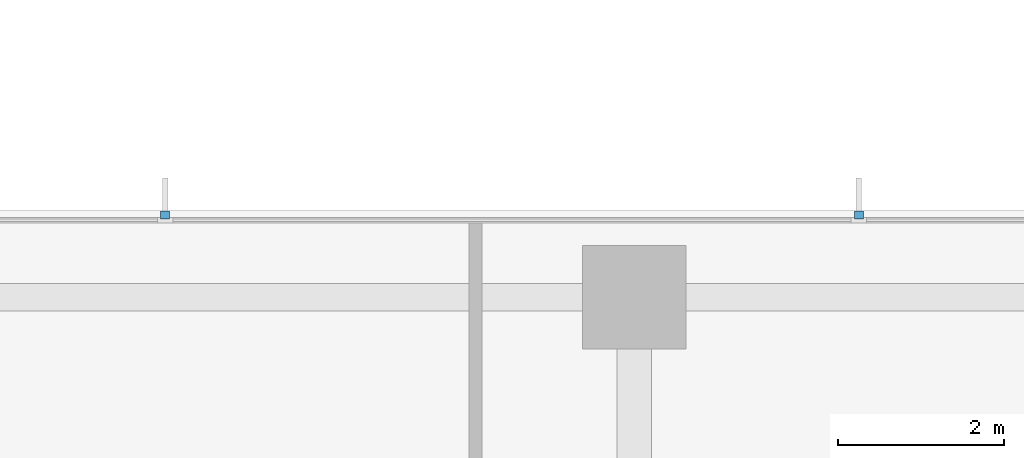
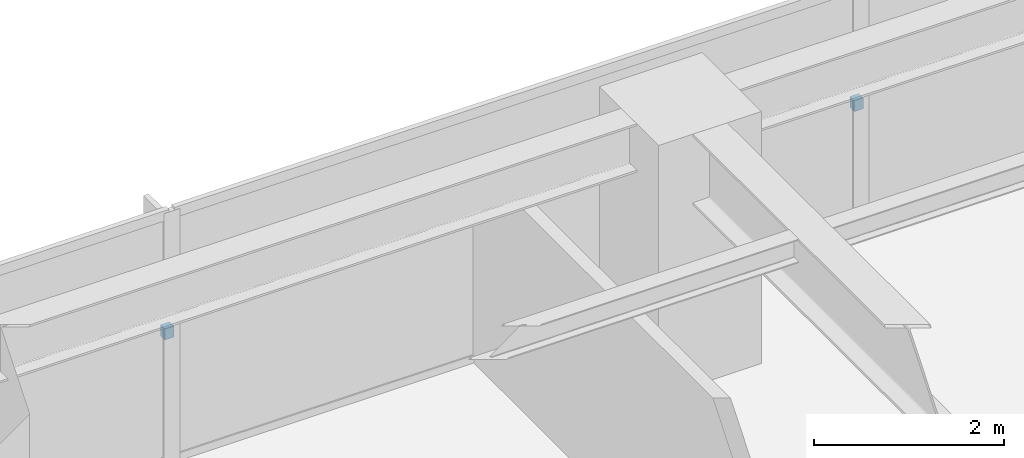
# One storey, part 15 of 17: 2 discrete accessories.
"""IFC4 building model written with IfcOpenShell, lengths in metres."""

from ifc_helpers import new_model, si_unit, direction, frame, origin, place, context, subcontext, project, spatial, polyline, outline, extrude, material, type_object, element, save


model = new_model("IFC4")

# Units and contexts
model_context = context("Model", 3, precision=1e-05, world=origin(), true_north=direction((0.0, 1.0)))
body_context = subcontext(model_context, "Body", "Model", "MODEL_VIEW")
ifc_project = project(units=[si_unit("LENGTHUNIT", "METRE"), si_unit("AREAUNIT", "SQUARE_METRE"), si_unit("VOLUMEUNIT", "CUBIC_METRE"), si_unit("PLANEANGLEUNIT", "RADIAN"), si_unit("MASSUNIT", "GRAM", prefix="KILO")], contexts=[model_context])

# Site, building, storey
site_placement = place(None, origin())
site = spatial("IfcSite", under=ifc_project, at=site_placement, CompositionType="ELEMENT")
building_placement = place(site_placement, origin())
building = spatial("IfcBuilding", under=site, at=building_placement, Name="Qalmaran Belvedere Hotel", CompositionType="ELEMENT")
storey_placement = place(building_placement, frame((0.0, 0.0, 112.699951171875)))
storey = spatial("IfcBuildingStorey", under=building, at=storey_placement, Name="L28", CompositionType="ELEMENT", Elevation=112.699951171875)

# Discrete accessories
ifc_material = material(Name="Stainless Steel 1.4401", Category="steel")
discrete_accessory_type = type_object("IfcDiscreteAccessoryType", Name="BRK-FIN-SS316", PredefinedType="BRACKET", material=ifc_material)
discrete_accessory_1_placement = place(storey_placement, frame((0.0, 0.0, 1.570068359375)))
element("IfcDiscreteAccessory", 1, at=discrete_accessory_1_placement, inside=storey, type_object=discrete_accessory_type, Name="L28 Fin Bracket 1", PredefinedType="BRACKET", context=body_context, shape_type="SweptSolid", body=[
    extrude(outline(polyline([(31.9716796875, 46.39501953125), (31.9716796875, 46.489990234375), (31.86181640625, 46.489990234375), (31.86181640625, 46.39501953125), (31.9716796875, 46.39501953125)])), origin(), (0.0, 0.0, 1.0), 0.139892578125),
])
discrete_accessory_2_placement = place(storey_placement, frame((0.0, 0.0, 1.570068359375)))
element("IfcDiscreteAccessory", 2, at=discrete_accessory_2_placement, inside=storey, type_object=discrete_accessory_type, Name="L28 Fin Bracket 2", PredefinedType="BRACKET", context=body_context, shape_type="SweptSolid", body=[
    extrude(outline(polyline([(23.58837890625, 46.39501953125), (23.58837890625, 46.489990234375), (23.478271484375, 46.489990234375), (23.478271484375, 46.39501953125), (23.58837890625, 46.39501953125)])), origin(), (0.0, 0.0, 1.0), 0.139892578125),
])

save(model, "model.ifc")
